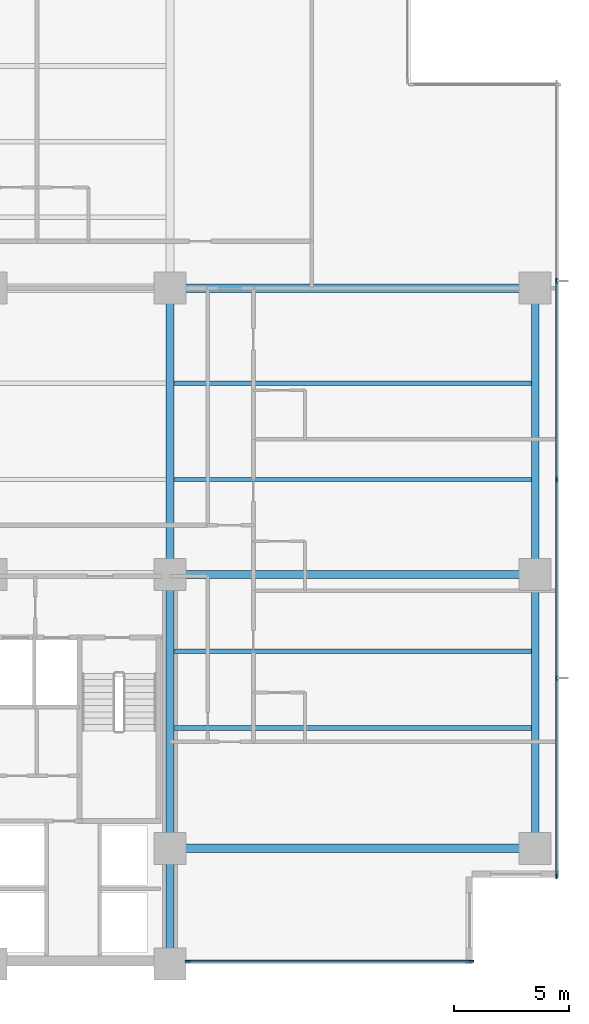
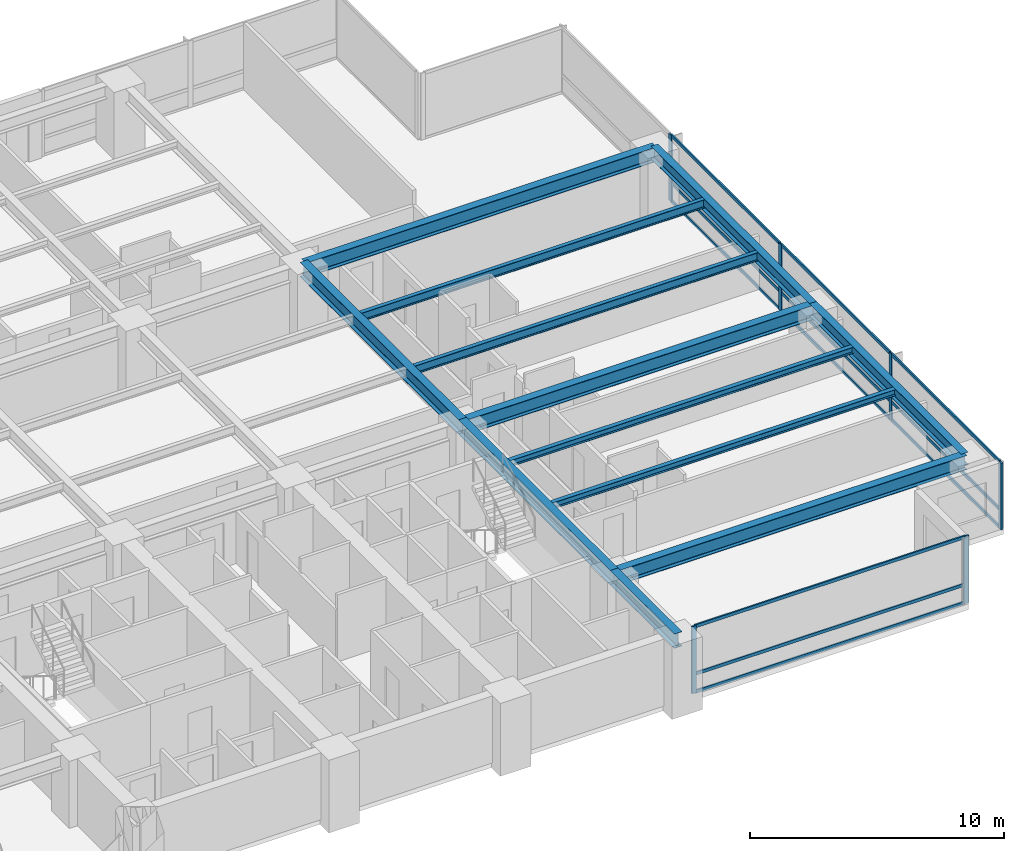
# One storey, part 3 of 16: 18 members, 12 beams, 2 elements without a shape of their own.
"""IFC4 building model written with IfcOpenShell, lengths in metres."""

import ifcopenshell
import ifcopenshell.guid

model = None  # the IFC model being written
_history = None  # IfcOwnerHistory: only IFC2X3 demands one
_inside = {}  # id of a spatial element -> (the spatial element, [elements in it])
_under = {}  # id of a project, library or spatial element -> (it, [spatial elements below it])
_declared = {}  # id of a project -> (the project, [libraries it declares])
_typed = {}  # id of a type object -> (the type object, [elements of that type])
_made_of = {}  # id of a material, layer set ... -> (it, [elements and type objects made of it])


def new_model(schema):
    """Start an empty IFC model of exactly this schema.

    Asked for "IFC4X3", IfcOpenShell would pick the latest addendum, in which some entities
    have other attributes; the version numbers below select the first issue.
    IFC2X3 requires an IfcOwnerHistory on every rooted entity: one is made here for all.
    """
    global model, _history
    if schema == "IFC4X3":
        model = ifcopenshell.file(schema_version=(4, 3, 0, 0))
    else:
        model = ifcopenshell.file(schema=schema)
    _inside.clear()
    _under.clear()
    _declared.clear()
    _typed.clear()
    _made_of.clear()
    _history = None
    if model.schema == "IFC2X3":
        org = make("IfcOrganization", Name="unknown")
        user = make(
            "IfcPersonAndOrganization",
            ThePerson=make("IfcPerson", FamilyName="unknown"),
            TheOrganization=org,
        )
        app = make(
            "IfcApplication",
            ApplicationDeveloper=org,
            Version="unknown",
            ApplicationFullName="unknown",
            ApplicationIdentifier="unknown",
        )
        _history = make(
            "IfcOwnerHistory",
            OwningUser=user,
            OwningApplication=app,
            ChangeAction="ADDED",
            CreationDate=0,
        )
    return model


def make(cls, **values):
    """One entity of the class cls with the attributes given. An attribute that is None is left unset."""
    return model.create_entity(
        cls, **{name: value for name, value in values.items() if value is not None}
    )


def rooted(cls, **values):
    """An entity with a GlobalId (a new one), such as an element, a storey or a relation."""
    return make(cls, GlobalId=ifcopenshell.guid.new(), OwnerHistory=_history, **values)


def si_unit(unit_type, name, prefix=None):
    """IfcSIUnit, for example si_unit("LENGTHUNIT", "METRE", prefix="MILLI")."""
    return make("IfcSIUnit", UnitType=unit_type, Prefix=prefix, Name=name)


def assignment(units):
    """IfcUnitAssignment: the units of a project."""
    return None if units is None else make("IfcUnitAssignment", Units=units)


def point(xyz):
    """IfcCartesianPoint."""
    return None if xyz is None else make("IfcCartesianPoint", Coordinates=xyz)


def direction(xyz):
    """IfcDirection."""
    return None if xyz is None else make("IfcDirection", DirectionRatios=xyz)


def frame(location, z_axis=None, x_axis=None):
    """IfcAxis2Placement3D, a coordinate frame: its origin and axes. An axis left out is left unset."""
    return make(
        "IfcAxis2Placement3D",
        Location=point(location),
        Axis=direction(z_axis),
        RefDirection=direction(x_axis),
    )


def frame_2d(location, x_axis=None):
    """IfcAxis2Placement2D, a coordinate frame in the plane: its origin and x axis."""
    return make(
        "IfcAxis2Placement2D", Location=point(location), RefDirection=direction(x_axis)
    )


def origin():
    """The frame at (0, 0, 0) with its axes left unset."""
    return frame((0.0, 0.0, 0.0))


def origin_2d():
    """The frame at (0, 0) in the plane with its x axis left unset."""
    return frame_2d((0.0, 0.0))


def place(relative_to, where):
    """IfcLocalPlacement: puts the frame where relative to a parent placement (None: the world)."""
    return make(
        "IfcLocalPlacement", PlacementRelTo=relative_to, RelativePlacement=where
    )


def context(
    kind, dimensions, precision=None, world=None, true_north=None, identifier=None
):
    """IfcGeometricRepresentationContext, for example the 3D "Model" context."""
    return make(
        "IfcGeometricRepresentationContext",
        ContextIdentifier=identifier,
        ContextType=kind,
        CoordinateSpaceDimension=dimensions,
        Precision=precision,
        WorldCoordinateSystem=world,
        TrueNorth=true_north,
    )


def subcontext(parent, identifier, kind, view, scale=None):
    """IfcGeometricRepresentationSubContext, for example "Body" below "Model"."""
    return make(
        "IfcGeometricRepresentationSubContext",
        ContextIdentifier=identifier,
        ContextType=kind,
        ParentContext=parent,
        TargetScale=scale,
        TargetView=view,
    )


def project(units=None, contexts=None):
    """IfcProject with its units and contexts."""
    return rooted(
        "IfcProject",
        Name="project",
        RepresentationContexts=contexts,
        UnitsInContext=assignment(units),
    )


def spatial(cls, under=None, at=None, **own):
    """A site, building, storey or space (cls), placed at a placement, below another one or the project."""
    s = rooted(cls, ObjectPlacement=at, **own)
    if under is not None:
        _under.setdefault(under.id(), (under, []))[1].append(s)
    return s


def profile(cls, at=None, kind="AREA", **sizes):
    """A parametric profile (cls). Its sizes go by their IFC names, for example OverallWidth=200.0."""
    return make(cls, ProfileType=kind, Position=at, **sizes)


def rectangle(**sizes):
    """IfcRectangleProfileDef."""
    return profile("IfcRectangleProfileDef", **sizes)


def i_section(**sizes):
    """IfcIShapeProfileDef."""
    return profile("IfcIShapeProfileDef", **sizes)


def extrude(swept, where, along, depth):
    """IfcExtrudedAreaSolid: the profile swept, set in the frame where, extruded along a direction by depth."""
    return make(
        "IfcExtrudedAreaSolid",
        SweptArea=swept,
        Position=where,
        ExtrudedDirection=direction(along),
        Depth=depth,
    )


def shape(context_of_items, identifier, shape_type, items):
    """IfcShapeRepresentation: the items that make up one representation, for example the "Body"."""
    return make(
        "IfcShapeRepresentation",
        ContextOfItems=context_of_items,
        RepresentationIdentifier=identifier,
        RepresentationType=shape_type,
        Items=items,
    )


def material(Name=None, Category=None):
    """IfcMaterial."""
    return make("IfcMaterial", Name=Name, Category=Category)


def layer(
    of_material, thickness, ventilated=None, Name=None, Category=None, Priority=None
):
    """IfcMaterialLayer: one layer of a wall or slab, of a material (None: an air gap)."""
    return make(
        "IfcMaterialLayer",
        Material=of_material,
        LayerThickness=thickness,
        IsVentilated=ventilated,
        Name=Name,
        Category=Category,
        Priority=Priority,
    )


def layer_set(layers, Name=None):
    """IfcMaterialLayerSet."""
    return make("IfcMaterialLayerSet", MaterialLayers=layers, LayerSetName=Name)


def material_profile(
    of_material, cross_section, Name=None, Category=None, Priority=None
):
    """IfcMaterialProfile: a cross section and its material."""
    return make(
        "IfcMaterialProfile",
        Name=Name,
        Material=of_material,
        Profile=cross_section,
        Priority=Priority,
        Category=Category,
    )


def profile_set(profiles, Name=None, composite=None):
    """IfcMaterialProfileSet."""
    return make(
        "IfcMaterialProfileSet",
        Name=Name,
        MaterialProfiles=profiles,
        CompositeProfile=composite,
    )


def made_of(thing, what):
    """Note that an element or type object is made of a material, layer set ...; save() writes the relation."""
    if what is not None:
        _made_of.setdefault(what.id(), (what, []))[1].append(thing)
    return thing


def type_object(cls, material=None, **own):
    """A type object (cls), such as IfcWallType, which elements share."""
    return made_of(rooted(cls, **own), material)


def element(
    cls,
    number,
    at=None,
    inside=None,
    cuts=None,
    type_object=None,
    material=None,
    context=None,
    identifier="Body",
    shape_type=None,
    held_by="IfcProductDefinitionShape",
    body=None,
    shapes=None,
    **own,
):
    """One element of the class cls, such as IfcWall. Its Tag is "e" and its number.

    at: its placement. inside: the storey or other place that contains it. cuts: it is an
    opening in that element (IfcRelVoidsElement). A single representation is given by context,
    identifier, shape_type and body (its items); several are given by shapes. held_by: the class
    of the entity that holds the representations. save() writes the other relations.
    """
    e = rooted(cls, Tag="e%d" % number, ObjectPlacement=at, **own)
    if body is not None:
        shapes = [shape(context, identifier, shape_type, body)]
    if shapes is not None:
        e.Representation = make(held_by, Representations=shapes)
    if inside is not None:
        _inside.setdefault(inside.id(), (inside, []))[1].append(e)
    if cuts is not None:
        rooted(
            "IfcRelVoidsElement", RelatingBuildingElement=cuts, RelatedOpeningElement=e
        )
    if type_object is not None:
        _typed.setdefault(type_object.id(), (type_object, []))[1].append(e)
    return made_of(e, material)


def aggregate(whole, parts):
    """IfcRelAggregates: a whole, such as a stair, and the parts it consists of."""
    return rooted("IfcRelAggregates", RelatingObject=whole, RelatedObjects=parts)


def save(model, path):
    """Write the relations noted so far, then the file.

    IfcRelAggregates (storeys below a building ...), IfcRelContainedInSpatialStructure (elements
    in a storey), IfcRelDefinesByType, IfcRelAssociatesMaterial and IfcRelDeclares: one each for
    every whole, place, type object, material and project.
    """
    for whole, parts in _under.values():
        aggregate(whole, parts)
    for where, things in _inside.values():
        rooted(
            "IfcRelContainedInSpatialStructure",
            RelatedElements=things,
            RelatingStructure=where,
        )
    for kind, things in _typed.values():
        rooted("IfcRelDefinesByType", RelatedObjects=things, RelatingType=kind)
    for what, things in _made_of.values():
        rooted("IfcRelAssociatesMaterial", RelatedObjects=things, RelatingMaterial=what)
    for by, libraries in _declared.values():
        rooted("IfcRelDeclares", RelatingContext=by, RelatedDefinitions=libraries)
    model.write(path)


model = new_model("IFC4")

# Units and contexts
model_context = context("Model", 3, precision=1e-05, world=origin(), true_north=direction((0.0, 1.0)))
body_context = subcontext(model_context, "Body", "Model", "MODEL_VIEW")
ifc_project = project(units=[si_unit("LENGTHUNIT", "METRE"), si_unit("AREAUNIT", "SQUARE_METRE"), si_unit("VOLUMEUNIT", "CUBIC_METRE"), si_unit("PLANEANGLEUNIT", "RADIAN"), si_unit("MASSUNIT", "GRAM", prefix="KILO")], contexts=[model_context])

# Site, building, storey
site_placement = place(None, origin())
site = spatial("IfcSite", under=ifc_project, at=site_placement, CompositionType="ELEMENT")
building_placement = place(site_placement, origin())
building = spatial("IfcBuilding", under=site, at=building_placement, Name="Qalmaran Belvedere Hotel", CompositionType="ELEMENT")
storey_placement = place(building_placement, frame((0.0, 0.0, 64.89990234375)))
storey = spatial("IfcBuildingStorey", under=building, at=storey_placement, Name="L16", CompositionType="ELEMENT", Elevation=64.89990234375)

# Beams
ifc_material_1 = material(Name="Steel S355JR", Category="steel")
ifc_material_profile_1 = material_profile(ifc_material_1, i_section(OverallWidth=0.202880859375, OverallDepth=0.302978515625, WebThickness=0.007568359375, FlangeThickness=0.01318359375, FilletRadius=0.012939453125, at=origin_2d()), Name="W310X60")
ifc_profile_set_1 = profile_set([ifc_material_profile_1], Name="Steel S355JR")
beam_type_1 = type_object("IfcBeamType", Name="BM-JST-W310X60", PredefinedType="JOIST", material=ifc_profile_set_1)
for number, where, z_axis, x_axis, name in (
    (1, (44.9755859375, 13.800048828125, 3.068603515625), (1.0, 0.0, 0.0), (0.0, 1.0, 0.0), "L16 East Wing Joist 039"),
    (2, (44.9755859375, 17.14990234375, 3.068603515625), (1.0, 0.0, 0.0), (0.0, 1.0, 0.0), "L16 East Wing Joist 041"),
):
    element("IfcBeam", number, at=place(storey_placement, frame(where, z_axis=z_axis, x_axis=x_axis)), inside=storey, type_object=beam_type_1, Name=name, PredefinedType="JOIST", context=body_context, shape_type="SweptSolid", body=[
        extrude(i_section(OverallWidth=0.202880859375, OverallDepth=0.302978515625, WebThickness=0.007568359375, FlangeThickness=0.01318359375, FilletRadius=0.012939453125, at=origin_2d()), origin(), (0.0, 0.0, 1.0), 15.61279296875),
    ])
ifc_material_profile_2 = material_profile(ifc_material_1, i_section(OverallWidth=0.180908203125, OverallDepth=0.4169921875, WebThickness=0.010986328125, FlangeThickness=0.018310546875, FilletRadius=0.014892578125, at=origin_2d()), Name="W410X85")
ifc_profile_set_2 = profile_set([ifc_material_profile_2], Name="Steel S355JR")
beam_type_2 = type_object("IfcBeamType", Name="BM-SB1-W410X85", PredefinedType="BEAM", material=ifc_profile_set_2)
for number, where, z_axis, x_axis, name in (
    (3, (44.9755859375, 24.64990234375, 3.01171875), (1.0, 0.0, 0.0), (0.0, 1.0, 0.0), "L16 East Secondary Beam 032"),
    (4, (44.9755859375, 28.85009765625, 3.01171875), (1.0, 0.0, 0.0), (0.0, 1.0, 0.0), "L16 East Secondary Beam 037"),
):
    element("IfcBeam", number, at=place(storey_placement, frame(where, z_axis=z_axis, x_axis=x_axis)), inside=storey, type_object=beam_type_2, Name=name, PredefinedType="BEAM", context=body_context, shape_type="SweptSolid", body=[
        extrude(i_section(OverallWidth=0.180908203125, OverallDepth=0.4169921875, WebThickness=0.010986328125, FlangeThickness=0.018310546875, FilletRadius=0.014892578125, at=origin_2d()), origin(), (0.0, 0.0, 1.0), 15.61279296875),
    ])
ifc_material_profile_3 = material_profile(ifc_material_1, i_section(OverallWidth=0.326904296875, OverallDepth=0.6220703125, WebThickness=0.015380859375, FlangeThickness=0.0244140625, FilletRadius=0.02001953125, at=origin_2d()), Name="W610X195")
ifc_profile_set_3 = profile_set([ifc_material_profile_3], Name="Steel S355JR")
beam_type_3 = type_object("IfcBeamType", Name="BM-SP1-W610X195", PredefinedType="SPANDREL", material=ifc_profile_set_3)
beam_1_placement = place(storey_placement, frame((60.75, 8.550048828125, 2.9091796875), z_axis=(0.0, 1.0, 0.0), x_axis=(-1.0, 0.0, 0.0)))
element("IfcBeam", 5, at=beam_1_placement, inside=storey, type_object=beam_type_3, Name="L16 Perimeter Spandrel 03", PredefinedType="SPANDREL", context=body_context, shape_type="SweptSolid", body=[
    extrude(i_section(OverallWidth=0.326904296875, OverallDepth=0.6220703125, WebThickness=0.015380859375, FlangeThickness=0.0244140625, FilletRadius=0.02001953125, at=origin_2d()), origin(), (0.0, 0.0, 1.0), 11.949951171875),
])
beam_2_placement = place(storey_placement, frame((60.75, 20.5, 2.9091796875), z_axis=(0.0, 1.0, 0.0), x_axis=(-1.0, 0.0, 0.0)))
element("IfcBeam", 6, at=beam_2_placement, inside=storey, type_object=beam_type_3, Name="L16 Perimeter Spandrel 04", PredefinedType="SPANDREL", context=body_context, shape_type="SweptSolid", body=[
    extrude(i_section(OverallWidth=0.326904296875, OverallDepth=0.6220703125, WebThickness=0.015380859375, FlangeThickness=0.0244140625, FilletRadius=0.02001953125, at=origin_2d()), origin(), (0.0, 0.0, 1.0), 12.5),
])
ifc_material_profile_4 = material_profile(ifc_material_1, i_section(OverallWidth=0.35498046875, OverallDepth=0.695068359375, WebThickness=0.015380859375, FlangeThickness=0.02490234375, FilletRadius=0.02197265625, at=origin_2d()), Name="W690X217")
ifc_profile_set_4 = profile_set([ifc_material_profile_4], Name="Steel S355JR")
beam_type_4 = type_object("IfcBeamType", Name="BM-Z1-W690X217", PredefinedType="USERDEFINED", material=ifc_profile_set_4)
beam_3_placement = place(storey_placement, frame((44.800048828125, 20.5, 2.87255859375), z_axis=(0.0, 1.0, 0.0), x_axis=(-1.0, 0.0, 0.0)))
element("IfcBeam", 7, at=beam_3_placement, inside=storey, type_object=beam_type_4, Name="L16 Mid-Plate N-S Girder 20", ObjectType="GIRDER", PredefinedType="USERDEFINED", context=body_context, shape_type="SweptSolid", body=[
    extrude(i_section(OverallWidth=0.35498046875, OverallDepth=0.695068359375, WebThickness=0.015380859375, FlangeThickness=0.02490234375, FilletRadius=0.02197265625, at=origin_2d()), origin(), (0.0, 0.0, 1.0), 12.5),
])
beam_4_placement = place(storey_placement, frame((44.800048828125, 3.5, 2.87255859375), z_axis=(0.0, 1.0, 0.0), x_axis=(-1.0, 0.0, 0.0)))
element("IfcBeam", 8, at=beam_4_placement, inside=storey, type_object=beam_type_4, Name="L16 East Core Edge Girder A", ObjectType="GIRDER", PredefinedType="USERDEFINED", context=body_context, shape_type="SweptSolid", body=[
    extrude(i_section(OverallWidth=0.35498046875, OverallDepth=0.695068359375, WebThickness=0.015380859375, FlangeThickness=0.02490234375, FilletRadius=0.02197265625, at=origin_2d()), origin(), (0.0, 0.0, 1.0), 5.050048828125),
])
beam_5_placement = place(storey_placement, frame((44.800048828125, 8.550048828125, 2.87255859375), z_axis=(0.0, 1.0, 0.0), x_axis=(-1.0, 0.0, 0.0)))
element("IfcBeam", 9, at=beam_5_placement, inside=storey, type_object=beam_type_4, Name="L16 East Core Edge Girder B", ObjectType="GIRDER", PredefinedType="USERDEFINED", context=body_context, shape_type="SweptSolid", body=[
    extrude(i_section(OverallWidth=0.35498046875, OverallDepth=0.695068359375, WebThickness=0.015380859375, FlangeThickness=0.02490234375, FilletRadius=0.02197265625, at=origin_2d()), origin(), (0.0, 0.0, 1.0), 11.949951171875),
])
for number, where, z_axis, x_axis, name in (
    (10, (44.800048828125, 8.550048828125, 2.87255859375), (1.0, 0.0, 0.0), (0.0, 1.0, 0.0), "L16 East Wing Girder 25"),
    (11, (44.800048828125, 20.5, 2.87255859375), (1.0, 0.0, 0.0), (0.0, 1.0, 0.0), "L16 East Wing Girder 26"),
    (12, (44.800048828125, 33.0, 2.87255859375), (1.0, 0.0, 0.0), (0.0, 1.0, 0.0), "L16 East Wing Girder 27"),
):
    element("IfcBeam", number, at=place(storey_placement, frame(where, z_axis=z_axis, x_axis=x_axis)), inside=storey, type_object=beam_type_4, Name=name, ObjectType="GIRDER", PredefinedType="USERDEFINED", context=body_context, shape_type="SweptSolid", body=[
        extrude(i_section(OverallWidth=0.35498046875, OverallDepth=0.695068359375, WebThickness=0.015380859375, FlangeThickness=0.02490234375, FilletRadius=0.02197265625, at=origin_2d()), origin(), (0.0, 0.0, 1.0), 15.949951171875),
    ])

# Curtain wall, members
ifc_material_2 = material(Name="Anodised Bronze Aluminium", Category="aluminium")
ifc_layer = layer(ifc_material_2, 0.2099609375, Name="Anodised Bronze Aluminium")
ifc_layer_set = layer_set([ifc_layer], Name="Anodised Bronze Aluminium")
curtain_wall_type = type_object("IfcCurtainWallType", Name="CW2-TOWER-LOWER", PredefinedType="NOTDEFINED", material=ifc_layer_set)
curtain_wall_1_placement = place(storey_placement, origin())
curtain_wall_1 = element("IfcCurtainWall", 13, at=curtain_wall_1_placement, inside=storey, type_object=curtain_wall_type, Name="L16 Curtain Wall CW2", PredefinedType="NOTDEFINED")
ifc_material_profile_5 = material_profile(ifc_material_2, rectangle(XDim=0.074951171875, YDim=0.219970703125, at=origin_2d()), Name="CWM75X220")
ifc_profile_set_5 = profile_set([ifc_material_profile_5], Name="Anodised Bronze Aluminium")
member_type_1 = type_object("IfcMemberType", Name="CWM-75X220", PredefinedType="MULLION", material=ifc_profile_set_5)
member_1_placement = place(storey_placement, frame((45.577392578125, 3.6201171875, 0.0), z_axis=(0.0, 0.0, 1.0), x_axis=(0.0, 1.0, 0.0)))
member_1 = element("IfcMember", 14, at=member_1_placement, type_object=member_type_1, Name="CW2 mullion 1", PredefinedType="MULLION", context=body_context, shape_type="SweptSolid", body=[
    extrude(rectangle(XDim=0.074951171875, YDim=0.219970703125, at=origin_2d()), origin(), (0.0, 0.0, 1.0), 3.22021484375),
])
member_2_placement = place(storey_placement, frame((57.96240234375, 3.6201171875, 0.0), z_axis=(0.0, 0.0, 1.0), x_axis=(0.0, 1.0, 0.0)))
member_2 = element("IfcMember", 15, at=member_2_placement, type_object=member_type_1, Name="CW2 mullion 2", PredefinedType="MULLION", context=body_context, shape_type="SweptSolid", body=[
    extrude(rectangle(XDim=0.074951171875, YDim=0.219970703125, at=origin_2d()), origin(), (0.0, 0.0, 1.0), 3.22021484375),
])

curtain_wall_2_placement = place(storey_placement, origin())
curtain_wall_2 = element("IfcCurtainWall", 16, at=curtain_wall_2_placement, inside=storey, type_object=curtain_wall_type, Name="L16 Curtain Wall CW2", PredefinedType="NOTDEFINED")
member_3_placement = place(storey_placement, frame((61.679931640625, 7.33740234375, 0.0), z_axis=(0.0, 0.0, 1.0), x_axis=(-1.0, 0.0, 0.0)))
member_3 = element("IfcMember", 17, at=member_3_placement, type_object=member_type_1, Name="CW2 mullion 1", PredefinedType="MULLION", context=body_context, shape_type="SweptSolid", body=[
    extrude(rectangle(XDim=0.074951171875, YDim=0.219970703125, at=origin_2d()), origin(), (0.0, 0.0, 1.0), 3.22021484375),
])
member_4_placement = place(storey_placement, frame((61.679931640625, 15.97509765625, 0.0), z_axis=(0.0, 0.0, 1.0), x_axis=(-1.0, 0.0, 0.0)))
member_4 = element("IfcMember", 18, at=member_4_placement, type_object=member_type_1, Name="CW2 mullion 2", PredefinedType="MULLION", context=body_context, shape_type="SweptSolid", body=[
    extrude(rectangle(XDim=0.074951171875, YDim=0.219970703125, at=origin_2d()), origin(), (0.0, 0.0, 1.0), 3.22021484375),
])
member_5_placement = place(storey_placement, frame((61.679931640625, 24.64990234375, 0.0), z_axis=(0.0, 0.0, 1.0), x_axis=(-1.0, 0.0, 0.0)))
member_5 = element("IfcMember", 19, at=member_5_placement, type_object=member_type_1, Name="CW2 mullion 3", PredefinedType="MULLION", context=body_context, shape_type="SweptSolid", body=[
    extrude(rectangle(XDim=0.074951171875, YDim=0.219970703125, at=origin_2d()), origin(), (0.0, 0.0, 1.0), 3.22021484375),
])
member_6_placement = place(storey_placement, frame((61.679931640625, 33.324951171875, 0.0), z_axis=(0.0, 0.0, 1.0), x_axis=(-1.0, 0.0, 0.0)))
member_6 = element("IfcMember", 20, at=member_6_placement, type_object=member_type_1, Name="CW2 mullion 4", PredefinedType="MULLION", context=body_context, shape_type="SweptSolid", body=[
    extrude(rectangle(XDim=0.074951171875, YDim=0.219970703125, at=origin_2d()), origin(), (0.0, 0.0, 1.0), 3.22021484375),
])

# Member
ifc_material_profile_6 = material_profile(ifc_material_2, rectangle(XDim=0.070068359375, YDim=0.14990234375, at=origin_2d()), Name="CWT70X150")
ifc_profile_set_6 = profile_set([ifc_material_profile_6], Name="Anodised Bronze Aluminium")
member_type_2 = type_object("IfcMemberType", Name="CWT-70X150", PredefinedType="USERDEFINED", material=ifc_profile_set_6)
member_7_placement = place(storey_placement, frame((45.614990234375, 3.6201171875, 0.03515625), z_axis=(1.0, 0.0, 0.0), x_axis=(0.0, 1.0, 0.0)))
member_7 = element("IfcMember", 21, at=member_7_placement, type_object=member_type_2, Name="CW2 transom 1.1", ObjectType="TRANSOM", PredefinedType="USERDEFINED", context=body_context, shape_type="SweptSolid", body=[
    extrude(rectangle(XDim=0.070068359375, YDim=0.14990234375, at=origin_2d()), origin(), (0.0, 0.0, 1.0), 12.31005859375),
])

member_8_placement = place(storey_placement, frame((45.614990234375, 3.6201171875, 0.901611328125), z_axis=(1.0, 0.0, 0.0), x_axis=(0.0, 1.0, 0.0)))
member_8 = element("IfcMember", 22, at=member_8_placement, type_object=member_type_2, Name="CW2 transom 1.2", ObjectType="TRANSOM", PredefinedType="USERDEFINED", context=body_context, shape_type="SweptSolid", body=[
    extrude(rectangle(XDim=0.070068359375, YDim=0.14990234375, at=origin_2d()), origin(), (0.0, 0.0, 1.0), 12.31005859375),
])

member_9_placement = place(storey_placement, frame((45.614990234375, 3.6201171875, 3.18505859375), z_axis=(1.0, 0.0, 0.0), x_axis=(0.0, 1.0, 0.0)))
member_9 = element("IfcMember", 23, at=member_9_placement, type_object=member_type_2, Name="CW2 transom 1.3", ObjectType="TRANSOM", PredefinedType="USERDEFINED", context=body_context, shape_type="SweptSolid", body=[
    extrude(rectangle(XDim=0.070068359375, YDim=0.14990234375, at=origin_2d()), origin(), (0.0, 0.0, 1.0), 12.31005859375),
])

aggregate(curtain_wall_1, [member_1, member_2, member_7, member_8, member_9])

member_10_placement = place(storey_placement, frame((61.679931640625, 7.375, 0.03515625), z_axis=(0.0, 1.0, 0.0), x_axis=(-1.0, 0.0, 0.0)))
member_10 = element("IfcMember", 24, at=member_10_placement, type_object=member_type_2, Name="CW2 transom 1.1", ObjectType="TRANSOM", PredefinedType="USERDEFINED", context=body_context, shape_type="SweptSolid", body=[
    extrude(rectangle(XDim=0.070068359375, YDim=0.14990234375, at=origin_2d()), origin(), (0.0, 0.0, 1.0), 8.5625),
])

member_11_placement = place(storey_placement, frame((61.679931640625, 7.375, 0.901611328125), z_axis=(0.0, 1.0, 0.0), x_axis=(-1.0, 0.0, 0.0)))
member_11 = element("IfcMember", 25, at=member_11_placement, type_object=member_type_2, Name="CW2 transom 1.2", ObjectType="TRANSOM", PredefinedType="USERDEFINED", context=body_context, shape_type="SweptSolid", body=[
    extrude(rectangle(XDim=0.070068359375, YDim=0.14990234375, at=origin_2d()), origin(), (0.0, 0.0, 1.0), 8.5625),
])

member_12_placement = place(storey_placement, frame((61.679931640625, 7.375, 3.18505859375), z_axis=(0.0, 1.0, 0.0), x_axis=(-1.0, 0.0, 0.0)))
member_12 = element("IfcMember", 26, at=member_12_placement, type_object=member_type_2, Name="CW2 transom 1.3", ObjectType="TRANSOM", PredefinedType="USERDEFINED", context=body_context, shape_type="SweptSolid", body=[
    extrude(rectangle(XDim=0.070068359375, YDim=0.14990234375, at=origin_2d()), origin(), (0.0, 0.0, 1.0), 8.5625),
])

member_13_placement = place(storey_placement, frame((61.679931640625, 16.012451171875, 0.03515625), z_axis=(0.0, 1.0, 0.0), x_axis=(-1.0, 0.0, 0.0)))
member_13 = element("IfcMember", 27, at=member_13_placement, type_object=member_type_2, Name="CW2 transom 2.1", ObjectType="TRANSOM", PredefinedType="USERDEFINED", context=body_context, shape_type="SweptSolid", body=[
    extrude(rectangle(XDim=0.070068359375, YDim=0.14990234375, at=origin_2d()), origin(), (0.0, 0.0, 1.0), 8.60009765625),
])

member_14_placement = place(storey_placement, frame((61.679931640625, 16.012451171875, 0.901611328125), z_axis=(0.0, 1.0, 0.0), x_axis=(-1.0, 0.0, 0.0)))
member_14 = element("IfcMember", 28, at=member_14_placement, type_object=member_type_2, Name="CW2 transom 2.2", ObjectType="TRANSOM", PredefinedType="USERDEFINED", context=body_context, shape_type="SweptSolid", body=[
    extrude(rectangle(XDim=0.070068359375, YDim=0.14990234375, at=origin_2d()), origin(), (0.0, 0.0, 1.0), 8.60009765625),
])

member_15_placement = place(storey_placement, frame((61.679931640625, 16.012451171875, 3.18505859375), z_axis=(0.0, 1.0, 0.0), x_axis=(-1.0, 0.0, 0.0)))
member_15 = element("IfcMember", 29, at=member_15_placement, type_object=member_type_2, Name="CW2 transom 2.3", ObjectType="TRANSOM", PredefinedType="USERDEFINED", context=body_context, shape_type="SweptSolid", body=[
    extrude(rectangle(XDim=0.070068359375, YDim=0.14990234375, at=origin_2d()), origin(), (0.0, 0.0, 1.0), 8.60009765625),
])

member_16_placement = place(storey_placement, frame((61.679931640625, 24.6875, 0.03515625), z_axis=(0.0, 1.0, 0.0), x_axis=(-1.0, 0.0, 0.0)))
member_16 = element("IfcMember", 30, at=member_16_placement, type_object=member_type_2, Name="CW2 transom 3.1", ObjectType="TRANSOM", PredefinedType="USERDEFINED", context=body_context, shape_type="SweptSolid", body=[
    extrude(rectangle(XDim=0.070068359375, YDim=0.14990234375, at=origin_2d()), origin(), (0.0, 0.0, 1.0), 8.60009765625),
])

member_17_placement = place(storey_placement, frame((61.679931640625, 24.6875, 0.901611328125), z_axis=(0.0, 1.0, 0.0), x_axis=(-1.0, 0.0, 0.0)))
member_17 = element("IfcMember", 31, at=member_17_placement, type_object=member_type_2, Name="CW2 transom 3.2", ObjectType="TRANSOM", PredefinedType="USERDEFINED", context=body_context, shape_type="SweptSolid", body=[
    extrude(rectangle(XDim=0.070068359375, YDim=0.14990234375, at=origin_2d()), origin(), (0.0, 0.0, 1.0), 8.60009765625),
])

member_18_placement = place(storey_placement, frame((61.679931640625, 24.6875, 3.18505859375), z_axis=(0.0, 1.0, 0.0), x_axis=(-1.0, 0.0, 0.0)))
member_18 = element("IfcMember", 32, at=member_18_placement, type_object=member_type_2, Name="CW2 transom 3.3", ObjectType="TRANSOM", PredefinedType="USERDEFINED", context=body_context, shape_type="SweptSolid", body=[
    extrude(rectangle(XDim=0.070068359375, YDim=0.14990234375, at=origin_2d()), origin(), (0.0, 0.0, 1.0), 8.60009765625),
])

aggregate(curtain_wall_2, [member_3, member_4, member_5, member_6, member_10, member_11, member_12, member_13, member_14, member_15, member_16, member_17, member_18])

save(model, "model.ifc")
